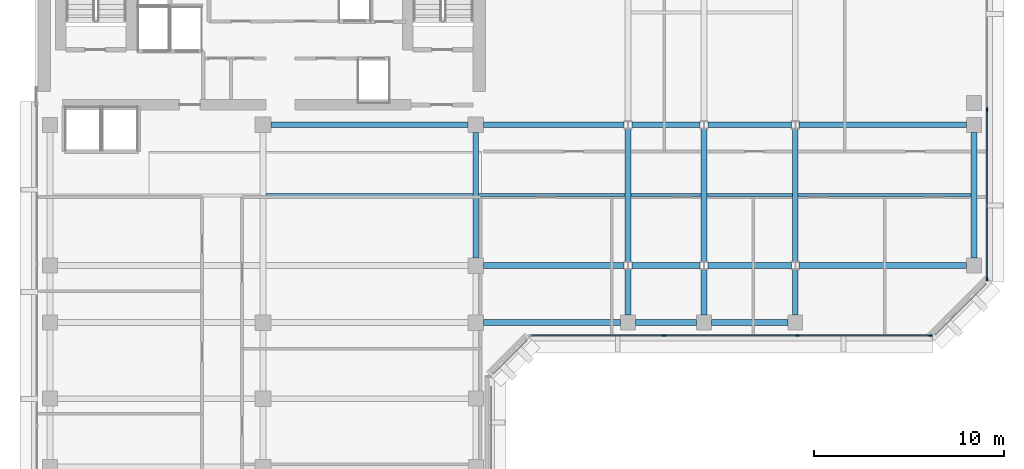
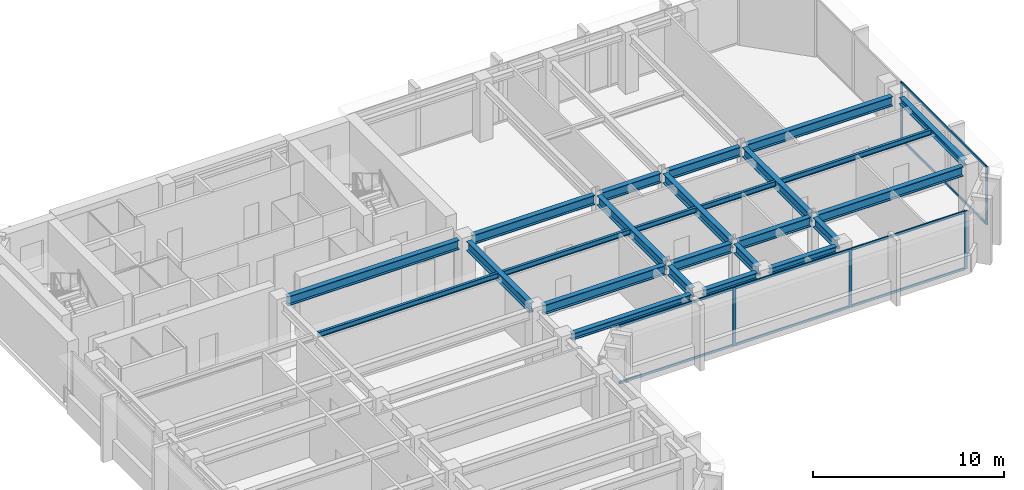
# One storey, part 3 of 12: 25 beams, 13 members, 2 elements without a shape of their own.
"""IFC4 building model written with IfcOpenShell, lengths in metres."""

from ifc_helpers import new_model, si_unit, direction, frame, origin, origin_2d, place, context, subcontext, project, spatial, rectangle, i_section, extrude, material, layer, layer_set, material_profile, profile_set, type_object, element, aggregate, save


model = new_model("IFC4")

# Units and contexts
model_context = context("Model", 3, precision=1e-05, world=origin(), true_north=direction((0.0, 1.0)))
body_context = subcontext(model_context, "Body", "Model", "MODEL_VIEW")
ifc_project = project(units=[si_unit("LENGTHUNIT", "METRE"), si_unit("AREAUNIT", "SQUARE_METRE"), si_unit("VOLUMEUNIT", "CUBIC_METRE"), si_unit("PLANEANGLEUNIT", "RADIAN"), si_unit("MASSUNIT", "GRAM", prefix="KILO")], contexts=[model_context])

# Site, building, storey
site_placement = place(None, origin())
site = spatial("IfcSite", under=ifc_project, at=site_placement, CompositionType="ELEMENT")
building_placement = place(site_placement, origin())
building = spatial("IfcBuilding", under=site, at=building_placement, Name="Kefirva Bronze Tower", CompositionType="ELEMENT")
storey_placement = place(building_placement, frame((0.0, 0.0, 260.3701171875)))
storey = spatial("IfcBuildingStorey", under=building, at=storey_placement, Name="L63", CompositionType="ELEMENT", Elevation=260.3701171875)

# Curtain wall, members
ifc_material_1 = material(Name="Bronze anodised aluminium", Category="aluminium")
ifc_layer = layer(ifc_material_1, 0.179931640625, Name="Bronze anodised aluminium")
ifc_layer_set = layer_set([ifc_layer], Name="Bronze anodised aluminium")
curtain_wall_type = type_object("IfcCurtainWallType", Name="Unitised Bronze Ribbon Curtain Wall Zone 3", PredefinedType="USERDEFINED", material=ifc_layer_set)
curtain_wall_1_placement = place(storey_placement, origin())
curtain_wall_1 = element("IfcCurtainWall", 1, at=curtain_wall_1_placement, inside=storey, type_object=curtain_wall_type, Name="L63 Curtain Wall 2", ObjectType="UNITISED CURTAIN WALL", PredefinedType="USERDEFINED")
ifc_material_profile_1 = material_profile(ifc_material_1, rectangle(XDim=0.074951171875, YDim=0.179931640625, at=origin_2d()), Name="ALU 75x180")
ifc_profile_set_1 = profile_set([ifc_material_profile_1], Name="Bronze anodised aluminium")
member_type_1 = type_object("IfcMemberType", Name="Bronze Mullion 75x180", PredefinedType="MULLION", material=ifc_profile_set_1)
member_1_placement = place(storey_placement, frame((33.0849609375, 22.1201171875, 0.0), z_axis=(0.0, 0.0, 1.0), x_axis=(0.0, 1.0, 0.0)))
member_1 = element("IfcMember", 2, at=member_1_placement, type_object=member_type_1, Name="CW-03 mullion 2", PredefinedType="MULLION", context=body_context, shape_type="SweptSolid", body=[
    extrude(rectangle(XDim=0.074951171875, YDim=0.179931640625, at=origin_2d()), origin(), (0.0, 0.0, 1.0), 3.7099609375),
])
member_2_placement = place(storey_placement, frame((40.114990234375, 22.1201171875, 0.0), z_axis=(0.0, 0.0, 1.0), x_axis=(0.0, 1.0, 0.0)))
member_2 = element("IfcMember", 3, at=member_2_placement, type_object=member_type_1, Name="CW-03 mullion 3", PredefinedType="MULLION", context=body_context, shape_type="SweptSolid", body=[
    extrude(rectangle(XDim=0.074951171875, YDim=0.179931640625, at=origin_2d()), origin(), (0.0, 0.0, 1.0), 3.7099609375),
])
member_3_placement = place(storey_placement, frame((47.107421875, 22.1201171875, 0.0), z_axis=(0.0, 0.0, 1.0), x_axis=(0.0, 1.0, 0.0)))
member_3 = element("IfcMember", 4, at=member_3_placement, type_object=member_type_1, Name="CW-03 mullion 4", PredefinedType="MULLION", context=body_context, shape_type="SweptSolid", body=[
    extrude(rectangle(XDim=0.074951171875, YDim=0.179931640625, at=origin_2d()), origin(), (0.0, 0.0, 1.0), 3.7099609375),
])

curtain_wall_2_placement = place(storey_placement, origin())
curtain_wall_2 = element("IfcCurtainWall", 5, at=curtain_wall_2_placement, inside=storey, type_object=curtain_wall_type, Name="L63 Curtain Wall 3", ObjectType="UNITISED CURTAIN WALL", PredefinedType="USERDEFINED")
member_4_placement = place(storey_placement, frame((50.080078125, 25.092529296875, 0.0), z_axis=(0.0, 0.0, 1.0), x_axis=(-1.0, 0.0, 0.0)))
member_4 = element("IfcMember", 6, at=member_4_placement, type_object=member_type_1, Name="CW-03 mullion 1", PredefinedType="MULLION", context=body_context, shape_type="SweptSolid", body=[
    extrude(rectangle(XDim=0.074951171875, YDim=0.179931640625, at=origin_2d()), origin(), (0.0, 0.0, 1.0), 3.7099609375),
])
member_5_placement = place(storey_placement, frame((50.080078125, 34.0, 0.0), z_axis=(0.0, 0.0, 1.0), x_axis=(-1.0, 0.0, 0.0)))
member_5 = element("IfcMember", 7, at=member_5_placement, type_object=member_type_1, Name="CW-03 mullion 2", PredefinedType="MULLION", context=body_context, shape_type="SweptSolid", body=[
    extrude(rectangle(XDim=0.074951171875, YDim=0.179931640625, at=origin_2d()), origin(), (0.0, 0.0, 1.0), 3.7099609375),
])

# Member
ifc_material_profile_2 = material_profile(ifc_material_1, rectangle(XDim=0.074951171875, YDim=0.14990234375, at=origin_2d()), Name="ALU 75x150")
ifc_profile_set_2 = profile_set([ifc_material_profile_2], Name="Bronze anodised aluminium")
member_type_2 = type_object("IfcMemberType", Name="Bronze Transom 75x150", PredefinedType="USERDEFINED", material=ifc_profile_set_2)
member_6_placement = place(storey_placement, frame((26.1298828125, 22.1201171875, 0.037353515625), z_axis=(1.0, 0.0, 0.0), x_axis=(0.0, 1.0, 0.0)))
member_6 = element("IfcMember", 8, at=member_6_placement, type_object=member_type_2, Name="CW-03 transom 1.1", ObjectType="TRANSOM", PredefinedType="USERDEFINED", context=body_context, shape_type="SweptSolid", body=[
    extrude(rectangle(XDim=0.074951171875, YDim=0.14990234375, at=origin_2d()), origin(), (0.0, 0.0, 1.0), 6.917724609375),
])

member_7_placement = place(storey_placement, frame((26.1298828125, 22.1201171875, 3.67236328125), z_axis=(1.0, 0.0, 0.0), x_axis=(0.0, 1.0, 0.0)))
member_7 = element("IfcMember", 9, at=member_7_placement, type_object=member_type_2, Name="CW-03 transom 1.2", ObjectType="TRANSOM", PredefinedType="USERDEFINED", context=body_context, shape_type="SweptSolid", body=[
    extrude(rectangle(XDim=0.074951171875, YDim=0.14990234375, at=origin_2d()), origin(), (0.0, 0.0, 1.0), 6.917724609375),
])

member_8_placement = place(storey_placement, frame((33.12255859375, 22.1201171875, 0.037353515625), z_axis=(1.0, 0.0, 0.0), x_axis=(0.0, 1.0, 0.0)))
member_8 = element("IfcMember", 10, at=member_8_placement, type_object=member_type_2, Name="CW-03 transom 2.1", ObjectType="TRANSOM", PredefinedType="USERDEFINED", context=body_context, shape_type="SweptSolid", body=[
    extrude(rectangle(XDim=0.074951171875, YDim=0.14990234375, at=origin_2d()), origin(), (0.0, 0.0, 1.0), 6.954833984375),
])

member_9_placement = place(storey_placement, frame((33.12255859375, 22.1201171875, 3.67236328125), z_axis=(1.0, 0.0, 0.0), x_axis=(0.0, 1.0, 0.0)))
member_9 = element("IfcMember", 11, at=member_9_placement, type_object=member_type_2, Name="CW-03 transom 2.2", ObjectType="TRANSOM", PredefinedType="USERDEFINED", context=body_context, shape_type="SweptSolid", body=[
    extrude(rectangle(XDim=0.074951171875, YDim=0.14990234375, at=origin_2d()), origin(), (0.0, 0.0, 1.0), 6.954833984375),
])

member_10_placement = place(storey_placement, frame((40.152587890625, 22.1201171875, 0.037353515625), z_axis=(1.0, 0.0, 0.0), x_axis=(0.0, 1.0, 0.0)))
member_10 = element("IfcMember", 12, at=member_10_placement, type_object=member_type_2, Name="CW-03 transom 3.1", ObjectType="TRANSOM", PredefinedType="USERDEFINED", context=body_context, shape_type="SweptSolid", body=[
    extrude(rectangle(XDim=0.074951171875, YDim=0.14990234375, at=origin_2d()), origin(), (0.0, 0.0, 1.0), 6.91748046875),
])

member_11_placement = place(storey_placement, frame((40.152587890625, 22.1201171875, 3.67236328125), z_axis=(1.0, 0.0, 0.0), x_axis=(0.0, 1.0, 0.0)))
member_11 = element("IfcMember", 13, at=member_11_placement, type_object=member_type_2, Name="CW-03 transom 3.2", ObjectType="TRANSOM", PredefinedType="USERDEFINED", context=body_context, shape_type="SweptSolid", body=[
    extrude(rectangle(XDim=0.074951171875, YDim=0.14990234375, at=origin_2d()), origin(), (0.0, 0.0, 1.0), 6.91748046875),
])

aggregate(curtain_wall_1, [member_1, member_2, member_3, member_6, member_7, member_8, member_9, member_10, member_11])

member_12_placement = place(storey_placement, frame((50.080078125, 25.1298828125, 0.037353515625), z_axis=(0.0, 1.0, 0.0), x_axis=(-1.0, 0.0, 0.0)))
member_12 = element("IfcMember", 14, at=member_12_placement, type_object=member_type_2, Name="CW-03 transom 1.1", ObjectType="TRANSOM", PredefinedType="USERDEFINED", context=body_context, shape_type="SweptSolid", body=[
    extrude(rectangle(XDim=0.074951171875, YDim=0.14990234375, at=origin_2d()), origin(), (0.0, 0.0, 1.0), 8.83251953125),
])

member_13_placement = place(storey_placement, frame((50.080078125, 25.1298828125, 3.67236328125), z_axis=(0.0, 1.0, 0.0), x_axis=(-1.0, 0.0, 0.0)))
member_13 = element("IfcMember", 15, at=member_13_placement, type_object=member_type_2, Name="CW-03 transom 1.2", ObjectType="TRANSOM", PredefinedType="USERDEFINED", context=body_context, shape_type="SweptSolid", body=[
    extrude(rectangle(XDim=0.074951171875, YDim=0.14990234375, at=origin_2d()), origin(), (0.0, 0.0, 1.0), 8.83251953125),
])

aggregate(curtain_wall_2, [member_4, member_5, member_12, member_13])

# Beams
ifc_material_2 = material(Name="Steel S355", Category="steel")
ifc_material_profile_3 = material_profile(ifc_material_2, i_section(OverallWidth=0.159912109375, OverallDepth=0.330078125, WebThickness=0.007568359375, FlangeThickness=0.011474609375, at=origin_2d()), Name="IPE 330")
ifc_profile_set_3 = profile_set([ifc_material_profile_3], Name="Steel S355")
beam_type_1 = type_object("IfcBeamType", Name="Steel Floor Joist IPE 330", PredefinedType="JOIST", material=ifc_profile_set_3)
beam_1_placement = place(storey_placement, frame((12.14990234375, 29.5, 3.544921875), z_axis=(1.0, 0.0, 0.0), x_axis=(0.0, 1.0, 0.0)))
element("IfcBeam", 16, at=beam_1_placement, inside=storey, type_object=beam_type_1, Name="L63 JST-L63-12-295", PredefinedType="JOIST", context=body_context, shape_type="SweptSolid", body=[
    extrude(i_section(OverallWidth=0.159912109375, OverallDepth=0.330078125, WebThickness=0.007568359375, FlangeThickness=0.011474609375, at=origin_2d()), origin(), (0.0, 0.0, 1.0), 10.900146484375),
])
beam_2_placement = place(storey_placement, frame((23.35009765625, 29.5, 3.544921875), z_axis=(1.0, 0.0, 0.0), x_axis=(0.0, 1.0, 0.0)))
element("IfcBeam", 17, at=beam_2_placement, inside=storey, type_object=beam_type_1, Name="L63 JST-L63-23-295", PredefinedType="JOIST", context=body_context, shape_type="SweptSolid", body=[
    extrude(i_section(OverallWidth=0.159912109375, OverallDepth=0.330078125, WebThickness=0.007568359375, FlangeThickness=0.011474609375, at=origin_2d()), origin(), (0.0, 0.0, 1.0), 7.699951171875),
])
beam_3_placement = place(storey_placement, frame((31.35009765625, 29.5, 3.544921875), z_axis=(1.0, 0.0, 0.0), x_axis=(0.0, 1.0, 0.0)))
element("IfcBeam", 18, at=beam_3_placement, inside=storey, type_object=beam_type_1, Name="L63 JST-L63-31-295", PredefinedType="JOIST", context=body_context, shape_type="SweptSolid", body=[
    extrude(i_section(OverallWidth=0.159912109375, OverallDepth=0.330078125, WebThickness=0.007568359375, FlangeThickness=0.011474609375, at=origin_2d()), origin(), (0.0, 0.0, 1.0), 3.699951171875),
])
beam_4_placement = place(storey_placement, frame((35.35009765625, 29.5, 3.544921875), z_axis=(1.0, 0.0, 0.0), x_axis=(0.0, 1.0, 0.0)))
element("IfcBeam", 19, at=beam_4_placement, inside=storey, type_object=beam_type_1, Name="L63 JST-L63-35-295", PredefinedType="JOIST", context=body_context, shape_type="SweptSolid", body=[
    extrude(i_section(OverallWidth=0.159912109375, OverallDepth=0.330078125, WebThickness=0.007568359375, FlangeThickness=0.011474609375, at=origin_2d()), origin(), (0.0, 0.0, 1.0), 4.5),
])
beam_5_placement = place(storey_placement, frame((40.14990234375, 29.5, 3.544921875), z_axis=(1.0, 0.0, 0.0), x_axis=(0.0, 1.0, 0.0)))
element("IfcBeam", 20, at=beam_5_placement, inside=storey, type_object=beam_type_1, Name="L63 JST-L63-40-295", PredefinedType="JOIST", context=body_context, shape_type="SweptSolid", body=[
    extrude(i_section(OverallWidth=0.159912109375, OverallDepth=0.330078125, WebThickness=0.007568359375, FlangeThickness=0.011474609375, at=origin_2d()), origin(), (0.0, 0.0, 1.0), 9.10009765625),
])
ifc_material_profile_4 = material_profile(ifc_material_2, i_section(OverallWidth=0.300048828125, OverallDepth=0.60009765625, WebThickness=0.015380859375, FlangeThickness=0.030029296875, at=origin_2d()), Name="HEB 600")
ifc_profile_set_4 = profile_set([ifc_material_profile_4], Name="Steel S355")
beam_type_2 = type_object("IfcBeamType", Name="Steel Girder HEB 600", PredefinedType="USERDEFINED", material=ifc_profile_set_4)
beam_6_placement = place(storey_placement, frame((23.610107421875, 25.800048828125, 3.409912109375), z_axis=(1.0, 0.0, 0.0), x_axis=(0.0, 1.0, 0.0)))
element("IfcBeam", 21, at=beam_6_placement, inside=storey, type_object=beam_type_2, Name="L63 BM-L63-EW-23-258", ObjectType="GIRDER", PredefinedType="USERDEFINED", context=body_context, shape_type="SweptSolid", body=[
    extrude(i_section(OverallWidth=0.300048828125, OverallDepth=0.60009765625, WebThickness=0.015380859375, FlangeThickness=0.030029296875, at=origin_2d()), origin(), (0.0, 0.0, 1.0), 7.3837890625),
])
beam_7_placement = place(storey_placement, frame((31.406005859375, 25.800048828125, 3.409912109375), z_axis=(1.0, 0.0, 0.0), x_axis=(0.0, 1.0, 0.0)))
element("IfcBeam", 22, at=beam_7_placement, inside=storey, type_object=beam_type_2, Name="L63 BM-L63-EW-31-258", ObjectType="GIRDER", PredefinedType="USERDEFINED", context=body_context, shape_type="SweptSolid", body=[
    extrude(i_section(OverallWidth=0.300048828125, OverallDepth=0.60009765625, WebThickness=0.015380859375, FlangeThickness=0.030029296875, at=origin_2d()), origin(), (0.0, 0.0, 1.0), 3.587890625),
])
beam_8_placement = place(storey_placement, frame((35.406005859375, 25.800048828125, 3.409912109375), z_axis=(1.0, 0.0, 0.0), x_axis=(0.0, 1.0, 0.0)))
element("IfcBeam", 23, at=beam_8_placement, inside=storey, type_object=beam_type_2, Name="L63 BM-L63-EW-35-258", ObjectType="GIRDER", PredefinedType="USERDEFINED", context=body_context, shape_type="SweptSolid", body=[
    extrude(i_section(OverallWidth=0.300048828125, OverallDepth=0.60009765625, WebThickness=0.015380859375, FlangeThickness=0.030029296875, at=origin_2d()), origin(), (0.0, 0.0, 1.0), 4.387939453125),
])
beam_9_placement = place(storey_placement, frame((40.2060546875, 25.800048828125, 3.409912109375), z_axis=(1.0, 0.0, 0.0), x_axis=(0.0, 1.0, 0.0)))
element("IfcBeam", 24, at=beam_9_placement, inside=storey, type_object=beam_type_2, Name="L63 BM-L63-EW-40-258", ObjectType="GIRDER", PredefinedType="USERDEFINED", context=body_context, shape_type="SweptSolid", body=[
    extrude(i_section(OverallWidth=0.300048828125, OverallDepth=0.60009765625, WebThickness=0.015380859375, FlangeThickness=0.030029296875, at=origin_2d()), origin(), (0.0, 0.0, 1.0), 8.803955078125),
])
beam_10_placement = place(storey_placement, frame((12.409912109375, 33.199951171875, 3.409912109375), z_axis=(1.0, 0.0, 0.0), x_axis=(0.0, 1.0, 0.0)))
element("IfcBeam", 25, at=beam_10_placement, inside=storey, type_object=beam_type_2, Name="L63 BM-L63-EW-12-332", ObjectType="GIRDER", PredefinedType="USERDEFINED", context=body_context, shape_type="SweptSolid", body=[
    extrude(i_section(OverallWidth=0.300048828125, OverallDepth=0.60009765625, WebThickness=0.015380859375, FlangeThickness=0.030029296875, at=origin_2d()), origin(), (0.0, 0.0, 1.0), 10.380126953125),
])
beam_11_placement = place(storey_placement, frame((23.610107421875, 33.199951171875, 3.409912109375), z_axis=(1.0, 0.0, 0.0), x_axis=(0.0, 1.0, 0.0)))
element("IfcBeam", 26, at=beam_11_placement, inside=storey, type_object=beam_type_2, Name="L63 BM-L63-EW-23-332", ObjectType="GIRDER", PredefinedType="USERDEFINED", context=body_context, shape_type="SweptSolid", body=[
    extrude(i_section(OverallWidth=0.300048828125, OverallDepth=0.60009765625, WebThickness=0.015380859375, FlangeThickness=0.030029296875, at=origin_2d()), origin(), (0.0, 0.0, 1.0), 7.3837890625),
])
beam_12_placement = place(storey_placement, frame((31.406005859375, 33.199951171875, 3.409912109375), z_axis=(1.0, 0.0, 0.0), x_axis=(0.0, 1.0, 0.0)))
element("IfcBeam", 27, at=beam_12_placement, inside=storey, type_object=beam_type_2, Name="L63 BM-L63-EW-31-332", ObjectType="GIRDER", PredefinedType="USERDEFINED", context=body_context, shape_type="SweptSolid", body=[
    extrude(i_section(OverallWidth=0.300048828125, OverallDepth=0.60009765625, WebThickness=0.015380859375, FlangeThickness=0.030029296875, at=origin_2d()), origin(), (0.0, 0.0, 1.0), 3.587890625),
])
beam_13_placement = place(storey_placement, frame((35.406005859375, 33.199951171875, 3.409912109375), z_axis=(1.0, 0.0, 0.0), x_axis=(0.0, 1.0, 0.0)))
element("IfcBeam", 28, at=beam_13_placement, inside=storey, type_object=beam_type_2, Name="L63 BM-L63-EW-35-332", ObjectType="GIRDER", PredefinedType="USERDEFINED", context=body_context, shape_type="SweptSolid", body=[
    extrude(i_section(OverallWidth=0.300048828125, OverallDepth=0.60009765625, WebThickness=0.015380859375, FlangeThickness=0.030029296875, at=origin_2d()), origin(), (0.0, 0.0, 1.0), 4.387939453125),
])
beam_14_placement = place(storey_placement, frame((40.2060546875, 33.199951171875, 3.409912109375), z_axis=(1.0, 0.0, 0.0), x_axis=(0.0, 1.0, 0.0)))
element("IfcBeam", 29, at=beam_14_placement, inside=storey, type_object=beam_type_2, Name="L63 BM-L63-EW-40-332", ObjectType="GIRDER", PredefinedType="USERDEFINED", context=body_context, shape_type="SweptSolid", body=[
    extrude(i_section(OverallWidth=0.300048828125, OverallDepth=0.60009765625, WebThickness=0.015380859375, FlangeThickness=0.030029296875, at=origin_2d()), origin(), (0.0, 0.0, 1.0), 8.803955078125),
])
beam_15_placement = place(storey_placement, frame((23.199951171875, 26.2099609375, 3.409912109375), z_axis=(0.0, 1.0, 0.0), x_axis=(-1.0, 0.0, 0.0)))
element("IfcBeam", 30, at=beam_15_placement, inside=storey, type_object=beam_type_2, Name="L63 BM-L63-NS-232-25", ObjectType="GIRDER", PredefinedType="USERDEFINED", context=body_context, shape_type="SweptSolid", body=[
    extrude(i_section(OverallWidth=0.300048828125, OverallDepth=0.60009765625, WebThickness=0.015380859375, FlangeThickness=0.030029296875, at=origin_2d()), origin(), (0.0, 0.0, 1.0), 6.580078125),
])
beam_16_placement = place(storey_placement, frame((31.199951171875, 23.18994140625, 3.409912109375), z_axis=(0.0, 1.0, 0.0), x_axis=(-1.0, 0.0, 0.0)))
element("IfcBeam", 31, at=beam_16_placement, inside=storey, type_object=beam_type_2, Name="L63 BM-L63-NS-312-22", ObjectType="GIRDER", PredefinedType="USERDEFINED", context=body_context, shape_type="SweptSolid", body=[
    extrude(i_section(OverallWidth=0.300048828125, OverallDepth=0.60009765625, WebThickness=0.015380859375, FlangeThickness=0.030029296875, at=origin_2d()), origin(), (0.0, 0.0, 1.0), 2.392578125),
])
beam_17_placement = place(storey_placement, frame((31.199951171875, 26.017578125, 3.409912109375), z_axis=(0.0, 1.0, 0.0), x_axis=(-1.0, 0.0, 0.0)))
element("IfcBeam", 32, at=beam_17_placement, inside=storey, type_object=beam_type_2, Name="L63 BM-L63-NS-312-25", ObjectType="GIRDER", PredefinedType="USERDEFINED", context=body_context, shape_type="SweptSolid", body=[
    extrude(i_section(OverallWidth=0.300048828125, OverallDepth=0.60009765625, WebThickness=0.015380859375, FlangeThickness=0.030029296875, at=origin_2d()), origin(), (0.0, 0.0, 1.0), 6.96484375),
])
beam_18_placement = place(storey_placement, frame((35.199951171875, 23.18994140625, 3.409912109375), z_axis=(0.0, 1.0, 0.0), x_axis=(-1.0, 0.0, 0.0)))
element("IfcBeam", 33, at=beam_18_placement, inside=storey, type_object=beam_type_2, Name="L63 BM-L63-NS-352-22", ObjectType="GIRDER", PredefinedType="USERDEFINED", context=body_context, shape_type="SweptSolid", body=[
    extrude(i_section(OverallWidth=0.300048828125, OverallDepth=0.60009765625, WebThickness=0.015380859375, FlangeThickness=0.030029296875, at=origin_2d()), origin(), (0.0, 0.0, 1.0), 2.392578125),
])
beam_19_placement = place(storey_placement, frame((35.199951171875, 26.017578125, 3.409912109375), z_axis=(0.0, 1.0, 0.0), x_axis=(-1.0, 0.0, 0.0)))
element("IfcBeam", 34, at=beam_19_placement, inside=storey, type_object=beam_type_2, Name="L63 BM-L63-NS-352-25", ObjectType="GIRDER", PredefinedType="USERDEFINED", context=body_context, shape_type="SweptSolid", body=[
    extrude(i_section(OverallWidth=0.300048828125, OverallDepth=0.60009765625, WebThickness=0.015380859375, FlangeThickness=0.030029296875, at=origin_2d()), origin(), (0.0, 0.0, 1.0), 6.96484375),
])
beam_20_placement = place(storey_placement, frame((40.0, 23.18994140625, 3.409912109375), z_axis=(0.0, 1.0, 0.0), x_axis=(-1.0, 0.0, 0.0)))
element("IfcBeam", 35, at=beam_20_placement, inside=storey, type_object=beam_type_2, Name="L63 BM-L63-NS-400-22", ObjectType="GIRDER", PredefinedType="USERDEFINED", context=body_context, shape_type="SweptSolid", body=[
    extrude(i_section(OverallWidth=0.300048828125, OverallDepth=0.60009765625, WebThickness=0.015380859375, FlangeThickness=0.030029296875, at=origin_2d()), origin(), (0.0, 0.0, 1.0), 2.392578125),
])
beam_21_placement = place(storey_placement, frame((40.0, 26.017578125, 3.409912109375), z_axis=(0.0, 1.0, 0.0), x_axis=(-1.0, 0.0, 0.0)))
element("IfcBeam", 36, at=beam_21_placement, inside=storey, type_object=beam_type_2, Name="L63 BM-L63-NS-400-25", ObjectType="GIRDER", PredefinedType="USERDEFINED", context=body_context, shape_type="SweptSolid", body=[
    extrude(i_section(OverallWidth=0.300048828125, OverallDepth=0.60009765625, WebThickness=0.015380859375, FlangeThickness=0.030029296875, at=origin_2d()), origin(), (0.0, 0.0, 1.0), 6.96484375),
])
ifc_material_profile_5 = material_profile(ifc_material_2, i_section(OverallWidth=0.300048828125, OverallDepth=0.39990234375, WebThickness=0.013427734375, FlangeThickness=0.02392578125, at=origin_2d()), Name="HEB 400")
ifc_profile_set_5 = profile_set([ifc_material_profile_5], Name="Steel S355")
beam_type_3 = type_object("IfcBeamType", Name="Steel Spandrel HEB 400 Ext", PredefinedType="SPANDREL", material=ifc_profile_set_5)
beam_22_placement = place(storey_placement, frame((23.610107421875, 22.800048828125, 3.509765625), z_axis=(1.0, 0.0, 0.0), x_axis=(0.0, 1.0, 0.0)))
element("IfcBeam", 37, at=beam_22_placement, inside=storey, type_object=beam_type_3, Name="L63 BM-L63-EW-23-228", PredefinedType="SPANDREL", context=body_context, shape_type="SweptSolid", body=[
    extrude(i_section(OverallWidth=0.300048828125, OverallDepth=0.39990234375, WebThickness=0.013427734375, FlangeThickness=0.02392578125, at=origin_2d()), origin(), (0.0, 0.0, 1.0), 7.199951171875),
])
beam_23_placement = place(storey_placement, frame((31.590087890625, 22.800048828125, 3.509765625), z_axis=(1.0, 0.0, 0.0), x_axis=(0.0, 1.0, 0.0)))
element("IfcBeam", 38, at=beam_23_placement, inside=storey, type_object=beam_type_3, Name="L63 BM-L63-EW-31-228", PredefinedType="SPANDREL", context=body_context, shape_type="SweptSolid", body=[
    extrude(i_section(OverallWidth=0.300048828125, OverallDepth=0.39990234375, WebThickness=0.013427734375, FlangeThickness=0.02392578125, at=origin_2d()), origin(), (0.0, 0.0, 1.0), 3.219970703125),
])
beam_24_placement = place(storey_placement, frame((35.590087890625, 22.800048828125, 3.509765625), z_axis=(1.0, 0.0, 0.0), x_axis=(0.0, 1.0, 0.0)))
element("IfcBeam", 39, at=beam_24_placement, inside=storey, type_object=beam_type_3, Name="L63 BM-L63-EW-35-228", PredefinedType="SPANDREL", context=body_context, shape_type="SweptSolid", body=[
    extrude(i_section(OverallWidth=0.300048828125, OverallDepth=0.39990234375, WebThickness=0.013427734375, FlangeThickness=0.02392578125, at=origin_2d()), origin(), (0.0, 0.0, 1.0), 4.02001953125),
])
beam_25_placement = place(storey_placement, frame((49.39990234375, 26.18994140625, 3.509765625), z_axis=(0.0, 1.0, 0.0), x_axis=(-1.0, 0.0, 0.0)))
element("IfcBeam", 40, at=beam_25_placement, inside=storey, type_object=beam_type_3, Name="L63 BM-L63-NS-494-25", PredefinedType="SPANDREL", context=body_context, shape_type="SweptSolid", body=[
    extrude(i_section(OverallWidth=0.300048828125, OverallDepth=0.39990234375, WebThickness=0.013427734375, FlangeThickness=0.02392578125, at=origin_2d()), origin(), (0.0, 0.0, 1.0), 6.6201171875),
])

save(model, "model.ifc")
